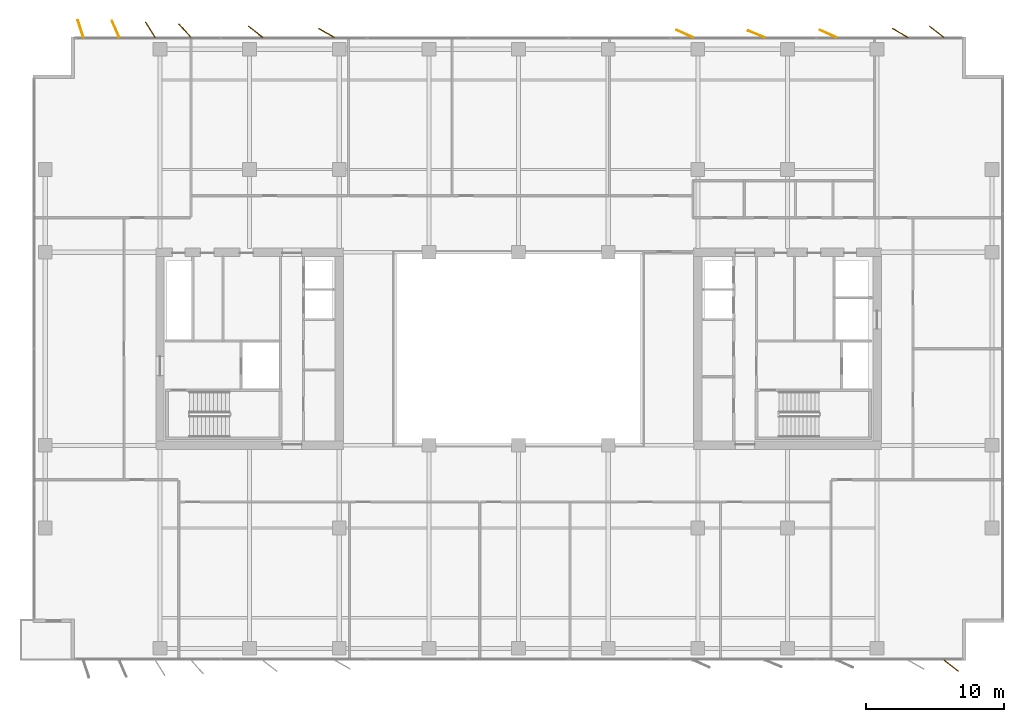
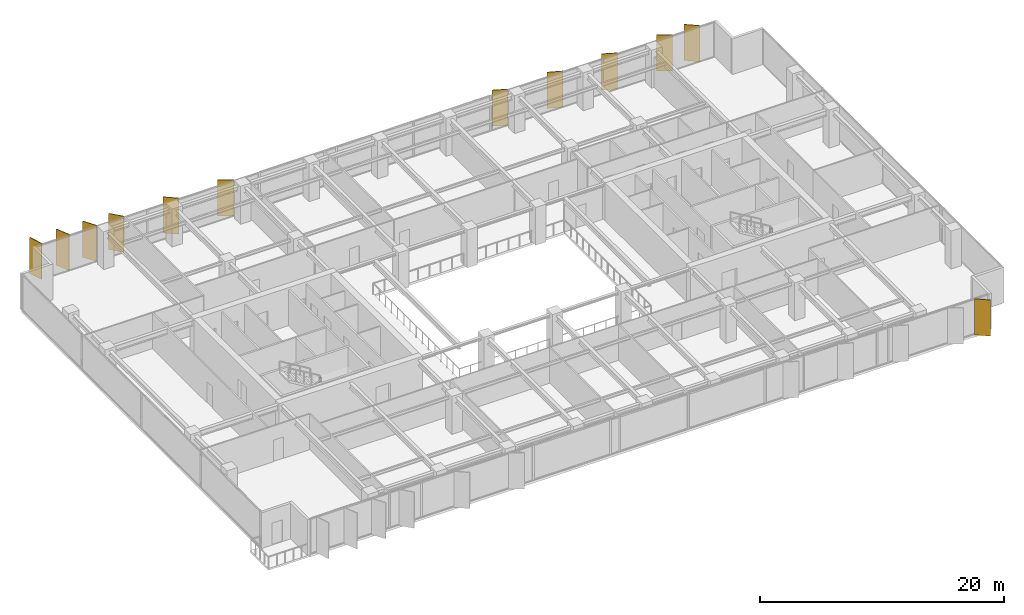
# One storey, part 22 of 22: 12 shading devices.
"""IFC4 building model written with IfcOpenShell, lengths in metres."""

import ifcopenshell
import ifcopenshell.guid

model = None  # the IFC model being written
_history = None  # IfcOwnerHistory: only IFC2X3 demands one
_inside = {}  # id of a spatial element -> (the spatial element, [elements in it])
_under = {}  # id of a project, library or spatial element -> (it, [spatial elements below it])
_declared = {}  # id of a project -> (the project, [libraries it declares])
_typed = {}  # id of a type object -> (the type object, [elements of that type])
_made_of = {}  # id of a material, layer set ... -> (it, [elements and type objects made of it])


def new_model(schema):
    """Start an empty IFC model of exactly this schema.

    Asked for "IFC4X3", IfcOpenShell would pick the latest addendum, in which some entities
    have other attributes; the version numbers below select the first issue.
    IFC2X3 requires an IfcOwnerHistory on every rooted entity: one is made here for all.
    """
    global model, _history
    if schema == "IFC4X3":
        model = ifcopenshell.file(schema_version=(4, 3, 0, 0))
    else:
        model = ifcopenshell.file(schema=schema)
    _inside.clear()
    _under.clear()
    _declared.clear()
    _typed.clear()
    _made_of.clear()
    _history = None
    if model.schema == "IFC2X3":
        org = make("IfcOrganization", Name="unknown")
        user = make(
            "IfcPersonAndOrganization",
            ThePerson=make("IfcPerson", FamilyName="unknown"),
            TheOrganization=org,
        )
        app = make(
            "IfcApplication",
            ApplicationDeveloper=org,
            Version="unknown",
            ApplicationFullName="unknown",
            ApplicationIdentifier="unknown",
        )
        _history = make(
            "IfcOwnerHistory",
            OwningUser=user,
            OwningApplication=app,
            ChangeAction="ADDED",
            CreationDate=0,
        )
    return model


def make(cls, **values):
    """One entity of the class cls with the attributes given. An attribute that is None is left unset."""
    return model.create_entity(
        cls, **{name: value for name, value in values.items() if value is not None}
    )


def rooted(cls, **values):
    """An entity with a GlobalId (a new one), such as an element, a storey or a relation."""
    return make(cls, GlobalId=ifcopenshell.guid.new(), OwnerHistory=_history, **values)


def si_unit(unit_type, name, prefix=None):
    """IfcSIUnit, for example si_unit("LENGTHUNIT", "METRE", prefix="MILLI")."""
    return make("IfcSIUnit", UnitType=unit_type, Prefix=prefix, Name=name)


def assignment(units):
    """IfcUnitAssignment: the units of a project."""
    return None if units is None else make("IfcUnitAssignment", Units=units)


def point(xyz):
    """IfcCartesianPoint."""
    return None if xyz is None else make("IfcCartesianPoint", Coordinates=xyz)


def direction(xyz):
    """IfcDirection."""
    return None if xyz is None else make("IfcDirection", DirectionRatios=xyz)


def frame(location, z_axis=None, x_axis=None):
    """IfcAxis2Placement3D, a coordinate frame: its origin and axes. An axis left out is left unset."""
    return make(
        "IfcAxis2Placement3D",
        Location=point(location),
        Axis=direction(z_axis),
        RefDirection=direction(x_axis),
    )


def frame_2d(location, x_axis=None):
    """IfcAxis2Placement2D, a coordinate frame in the plane: its origin and x axis."""
    return make(
        "IfcAxis2Placement2D", Location=point(location), RefDirection=direction(x_axis)
    )


def origin():
    """The frame at (0, 0, 0) with its axes left unset."""
    return frame((0.0, 0.0, 0.0))


def origin_2d():
    """The frame at (0, 0) in the plane with its x axis left unset."""
    return frame_2d((0.0, 0.0))


def place(relative_to, where):
    """IfcLocalPlacement: puts the frame where relative to a parent placement (None: the world)."""
    return make(
        "IfcLocalPlacement", PlacementRelTo=relative_to, RelativePlacement=where
    )


def context(
    kind, dimensions, precision=None, world=None, true_north=None, identifier=None
):
    """IfcGeometricRepresentationContext, for example the 3D "Model" context."""
    return make(
        "IfcGeometricRepresentationContext",
        ContextIdentifier=identifier,
        ContextType=kind,
        CoordinateSpaceDimension=dimensions,
        Precision=precision,
        WorldCoordinateSystem=world,
        TrueNorth=true_north,
    )


def subcontext(parent, identifier, kind, view, scale=None):
    """IfcGeometricRepresentationSubContext, for example "Body" below "Model"."""
    return make(
        "IfcGeometricRepresentationSubContext",
        ContextIdentifier=identifier,
        ContextType=kind,
        ParentContext=parent,
        TargetScale=scale,
        TargetView=view,
    )


def project(units=None, contexts=None):
    """IfcProject with its units and contexts."""
    return rooted(
        "IfcProject",
        Name="project",
        RepresentationContexts=contexts,
        UnitsInContext=assignment(units),
    )


def spatial(cls, under=None, at=None, **own):
    """A site, building, storey or space (cls), placed at a placement, below another one or the project."""
    s = rooted(cls, ObjectPlacement=at, **own)
    if under is not None:
        _under.setdefault(under.id(), (under, []))[1].append(s)
    return s


def profile(cls, at=None, kind="AREA", **sizes):
    """A parametric profile (cls). Its sizes go by their IFC names, for example OverallWidth=200.0."""
    return make(cls, ProfileType=kind, Position=at, **sizes)


def rectangle(**sizes):
    """IfcRectangleProfileDef."""
    return profile("IfcRectangleProfileDef", **sizes)


def extrude(swept, where, along, depth):
    """IfcExtrudedAreaSolid: the profile swept, set in the frame where, extruded along a direction by depth."""
    return make(
        "IfcExtrudedAreaSolid",
        SweptArea=swept,
        Position=where,
        ExtrudedDirection=direction(along),
        Depth=depth,
    )


def shape(context_of_items, identifier, shape_type, items):
    """IfcShapeRepresentation: the items that make up one representation, for example the "Body"."""
    return make(
        "IfcShapeRepresentation",
        ContextOfItems=context_of_items,
        RepresentationIdentifier=identifier,
        RepresentationType=shape_type,
        Items=items,
    )


def material(Name=None, Category=None):
    """IfcMaterial."""
    return make("IfcMaterial", Name=Name, Category=Category)


def layer(
    of_material, thickness, ventilated=None, Name=None, Category=None, Priority=None
):
    """IfcMaterialLayer: one layer of a wall or slab, of a material (None: an air gap)."""
    return make(
        "IfcMaterialLayer",
        Material=of_material,
        LayerThickness=thickness,
        IsVentilated=ventilated,
        Name=Name,
        Category=Category,
        Priority=Priority,
    )


def layer_set(layers, Name=None):
    """IfcMaterialLayerSet."""
    return make("IfcMaterialLayerSet", MaterialLayers=layers, LayerSetName=Name)


def made_of(thing, what):
    """Note that an element or type object is made of a material, layer set ...; save() writes the relation."""
    if what is not None:
        _made_of.setdefault(what.id(), (what, []))[1].append(thing)
    return thing


def type_object(cls, material=None, **own):
    """A type object (cls), such as IfcWallType, which elements share."""
    return made_of(rooted(cls, **own), material)


def element(
    cls,
    number,
    at=None,
    inside=None,
    cuts=None,
    type_object=None,
    material=None,
    context=None,
    identifier="Body",
    shape_type=None,
    held_by="IfcProductDefinitionShape",
    body=None,
    shapes=None,
    **own,
):
    """One element of the class cls, such as IfcWall. Its Tag is "e" and its number.

    at: its placement. inside: the storey or other place that contains it. cuts: it is an
    opening in that element (IfcRelVoidsElement). A single representation is given by context,
    identifier, shape_type and body (its items); several are given by shapes. held_by: the class
    of the entity that holds the representations. save() writes the other relations.
    """
    e = rooted(cls, Tag="e%d" % number, ObjectPlacement=at, **own)
    if body is not None:
        shapes = [shape(context, identifier, shape_type, body)]
    if shapes is not None:
        e.Representation = make(held_by, Representations=shapes)
    if inside is not None:
        _inside.setdefault(inside.id(), (inside, []))[1].append(e)
    if cuts is not None:
        rooted(
            "IfcRelVoidsElement", RelatingBuildingElement=cuts, RelatedOpeningElement=e
        )
    if type_object is not None:
        _typed.setdefault(type_object.id(), (type_object, []))[1].append(e)
    return made_of(e, material)


def aggregate(whole, parts):
    """IfcRelAggregates: a whole, such as a stair, and the parts it consists of."""
    return rooted("IfcRelAggregates", RelatingObject=whole, RelatedObjects=parts)


def save(model, path):
    """Write the relations noted so far, then the file.

    IfcRelAggregates (storeys below a building ...), IfcRelContainedInSpatialStructure (elements
    in a storey), IfcRelDefinesByType, IfcRelAssociatesMaterial and IfcRelDeclares: one each for
    every whole, place, type object, material and project.
    """
    for whole, parts in _under.values():
        aggregate(whole, parts)
    for where, things in _inside.values():
        rooted(
            "IfcRelContainedInSpatialStructure",
            RelatedElements=things,
            RelatingStructure=where,
        )
    for kind, things in _typed.values():
        rooted("IfcRelDefinesByType", RelatedObjects=things, RelatingType=kind)
    for what, things in _made_of.values():
        rooted("IfcRelAssociatesMaterial", RelatedObjects=things, RelatingMaterial=what)
    for by, libraries in _declared.values():
        rooted("IfcRelDeclares", RelatingContext=by, RelatedDefinitions=libraries)
    model.write(path)


model = new_model("IFC4")

# Units and contexts
model_context = context("Model", 3, precision=1e-05, world=origin(), true_north=direction((0.0, 1.0)))
body_context = subcontext(model_context, "Body", "Model", "MODEL_VIEW")
ifc_project = project(units=[si_unit("LENGTHUNIT", "METRE"), si_unit("AREAUNIT", "SQUARE_METRE"), si_unit("VOLUMEUNIT", "CUBIC_METRE"), si_unit("PLANEANGLEUNIT", "RADIAN"), si_unit("MASSUNIT", "GRAM", prefix="KILO")], contexts=[model_context])

# Site, building, storey
site_placement = place(None, origin())
site = spatial("IfcSite", under=ifc_project, at=site_placement, CompositionType="ELEMENT")
building_placement = place(site_placement, origin())
building = spatial("IfcBuilding", under=site, at=building_placement, Name="Putna Gate Headquarters", CompositionType="ELEMENT")
storey_placement = place(building_placement, frame((0.0, 0.0, 170.800048828125)))
storey = spatial("IfcBuildingStorey", under=building, at=storey_placement, Name="L42", CompositionType="ELEMENT", Elevation=170.800048828125)

# Shading devices
ifc_material = material(Name="Anodised architectural bronze aluminium fin", Category="aluminium")
ifc_layer = layer(ifc_material, 0.06494140625)
ifc_layer_set = layer_set([ifc_layer], Name="Anodised architectural bronze aluminium fin")
shading_device_type = type_object("IfcShadingDeviceType", Name="SHADE-BRONZE-FIN-1320", PredefinedType="USERDEFINED", material=ifc_layer_set)
for number, where, z_axis, x_axis, name in (
    (1, (7.246337890625, 49.202880859375, -0.02001953125), (0.0, 0.0, 1.0), (-0.308684994204, 0.951164325631, 0.0), "L42 Bronze Vertical Shading Fin N1"),
    (2, (9.78564453125, 49.1796875, -0.02001953125), (0.0, 0.0, 1.0), (-0.400668879095, 0.916222925562, 0.0), "L42 Bronze Vertical Shading Fin N2"),
    (3, (12.2998046875, 49.134521484375, -0.02001953125), (0.0, 0.0, 1.0), (-0.530659123936, 0.847585331506, 0.0), "L42 Bronze Vertical Shading Fin N3"),
    (4, (14.808349609375, 49.0654296875, -0.02001953125), (0.0, 0.0, 1.0), (-0.669130606359, 0.743144825477, 0.0), "L42 Bronze Vertical Shading Fin N4"),
    (5, (19.930419921875, 48.981689453125, -0.02001953125), (0.0, 0.0, 1.0), (-0.787473187632, 0.616348909921, 0.0), "L42 Bronze Vertical Shading Fin N5"),
    (6, (25.076171875, 48.901123046875, -0.02001953125), (0.0, 0.0, 1.0), (-0.869322458298, 0.494245347472, 0.0), "L42 Bronze Vertical Shading Fin N6"),
    (7, (51.047119140625, 48.84326171875, -0.02001953125), (0.0, 0.0, 1.0), (-0.913687379856, 0.40641773078, 0.0), "L42 Bronze Vertical Shading Fin N7"),
    (8, (56.238037109375, 48.822265625, -0.02001953125), (0.0, 0.0, 1.0), (-0.927183854567, 0.374606593416, 0.0), "L42 Bronze Vertical Shading Fin N8"),
    (9, (61.447021484375, 48.84326171875, -0.02001953125), (0.0, 0.0, 1.0), (-0.913687379856, 0.40641773078, 0.0), "L42 Bronze Vertical Shading Fin N9"),
    (10, (66.67626953125, 48.901123046875, -0.02001953125), (0.0, 0.0, 1.0), (-0.869322458298, 0.494245347472, 0.0), "L42 Bronze Vertical Shading Fin N10"),
    (11, (70.36962890625, 3.018310546875, -0.02001953125), (0.0, 0.0, 1.0), (0.787473187632, -0.616348909921, 0.0), "L42 Bronze Vertical Shading Fin S11"),
    (12, (69.330322265625, 48.981689453125, -0.02001953125), (0.0, 0.0, 1.0), (-0.787473187632, 0.616348909921, 0.0), "L42 Bronze Vertical Shading Fin N11"),
):
    element("IfcShadingDevice", number, at=place(storey_placement, frame(where, z_axis=z_axis, x_axis=x_axis)), inside=storey, type_object=shading_device_type, Name=name, ObjectType="FIN", PredefinedType="USERDEFINED", context=body_context, shape_type="SweptSolid", body=[
        extrude(rectangle(XDim=1.320068359375, YDim=0.06494140625, at=origin_2d()), origin(), (0.0, 0.0, 1.0), 3.612060546875),
    ])

save(model, "model.ifc")
